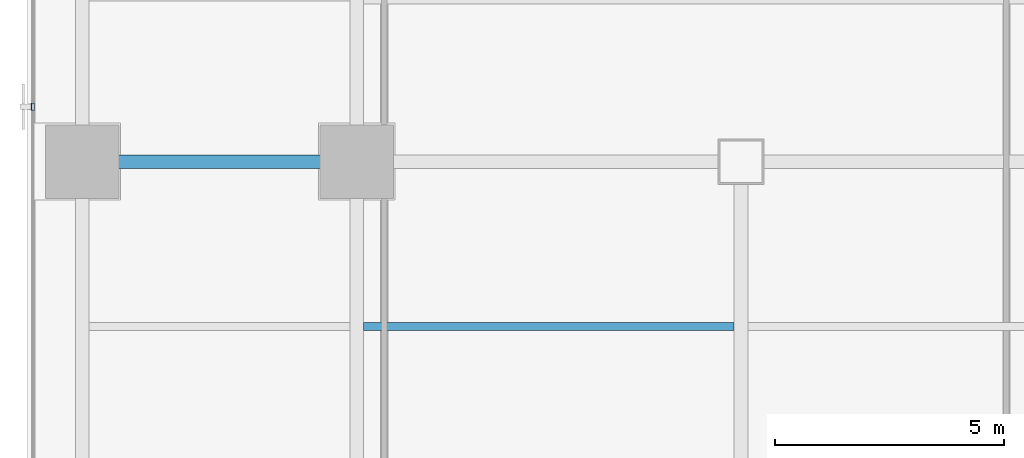
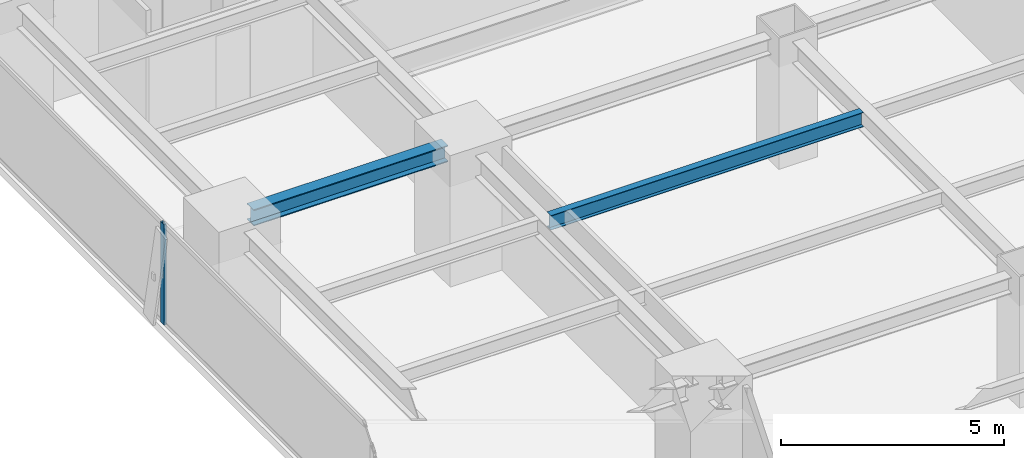
# One storey, part 7 of 27: 2 beams, 1 member, 1 element without a shape of its own.
"""IFC4 building model written with IfcOpenShell, lengths in metres."""

from ifc_helpers import new_model, si_unit, direction, frame, origin, origin_2d, place, context, subcontext, project, spatial, hollow_rectangle, i_section, extrude, source, transform, mapped, material, layer, layer_set, material_profile, profile_set, type_object, element, aggregate, save


model = new_model("IFC4")

# Units and contexts
model_context = context("Model", 3, precision=1e-05, world=origin(), true_north=direction((0.0, 1.0)))
body_context = subcontext(model_context, "Body", "Model", "MODEL_VIEW")
ifc_project = project(units=[si_unit("LENGTHUNIT", "METRE"), si_unit("AREAUNIT", "SQUARE_METRE"), si_unit("VOLUMEUNIT", "CUBIC_METRE"), si_unit("PLANEANGLEUNIT", "RADIAN"), si_unit("MASSUNIT", "GRAM", prefix="KILO")], contexts=[model_context])

# Site, building, storey
site_placement = place(None, origin())
site = spatial("IfcSite", under=ifc_project, at=site_placement, CompositionType="ELEMENT")
building_placement = place(site_placement, origin())
building = spatial("IfcBuilding", under=site, at=building_placement, Name="Sumidabori Civic Tower", CompositionType="ELEMENT")
storey_placement = place(building_placement, frame((0.0, 0.0, 142.39990234375)))
storey = spatial("IfcBuildingStorey", under=building, at=storey_placement, Name="L36", CompositionType="ELEMENT", Elevation=142.39990234375)

# Beams
ifc_material_1 = material(Name="Steel SN490", Category="steel")
ifc_material_profile_1 = material_profile(ifc_material_1, i_section(OverallWidth=0.179931640625, OverallDepth=0.39990234375, WebThickness=0.008544921875, FlangeThickness=0.013427734375, at=origin_2d()), Name="IPE 400")
ifc_profile_set_1 = profile_set([ifc_material_profile_1], Name="Steel SN490")
beam_type_1 = type_object("IfcBeamType", Name="BM-JST-400", PredefinedType="JOIST", material=ifc_profile_set_1)
shared_shape_1 = source(origin(), body_context, "Body", "SweptSolid", [
    extrude(i_section(OverallWidth=0.179931640625, OverallDepth=0.39990234375, WebThickness=0.008544921875, FlangeThickness=0.013427734375, at=origin_2d()), origin(), (0.0, 0.0, 1.0), 8.099853515625),
])
beam_1_placement = place(storey_placement, frame((-16.64990234375, -3.60009765625, 3.18017578125), z_axis=(1.0, 0.0, 0.0), x_axis=(0.0, 1.0, 0.0)))
element("IfcBeam", 1, at=beam_1_placement, inside=storey, type_object=beam_type_1, Name="South Bay Floor Joist L36 JSTS-57", PredefinedType="JOIST", context=body_context, shape_type="MappedRepresentation", body=[
    mapped(shared_shape_1, transform((0.0, 0.0, 0.0), x_axis=(1.0, 0.0, 0.0), y_axis=(0.0, 1.0, 0.0), z_axis=(0.0, 0.0, 1.0), scale=1.0)),
])
ifc_material_profile_2 = material_profile(ifc_material_1, i_section(OverallWidth=0.300048828125, OverallDepth=0.449951171875, WebThickness=0.013916015625, FlangeThickness=0.02587890625, at=origin_2d()), Name="HE 450 B")
ifc_profile_set_2 = profile_set([ifc_material_profile_2], Name="Steel SN490")
beam_type_2 = type_object("IfcBeamType", Name="BM-GIRD-450", PredefinedType="BEAM", material=ifc_profile_set_2)
shared_shape_2 = source(origin(), body_context, "Body", "SweptSolid", [
    extrude(i_section(OverallWidth=0.300048828125, OverallDepth=0.449951171875, WebThickness=0.013916015625, FlangeThickness=0.02587890625, at=origin_2d()), origin(), (0.0, 0.0, 1.0), 5.0400390625),
])
beam_2_placement = place(storey_placement, frame((-22.320068359375, 0.0, 3.155029296875), z_axis=(1.0, 0.0, 0.0), x_axis=(0.0, 1.0, 0.0)))
element("IfcBeam", 2, at=beam_2_placement, inside=storey, type_object=beam_type_2, Name="Primary Girder L36 GX-11", PredefinedType="BEAM", context=body_context, shape_type="MappedRepresentation", body=[
    mapped(shared_shape_2, transform((0.0, 0.0, 0.0), x_axis=(1.0, 0.0, 0.0), y_axis=(0.0, 1.0, 0.0), z_axis=(0.0, 0.0, 1.0), scale=1.0)),
])

# Curtain wall, member
ifc_material_2 = material(Name="Anodised Bronze Aluminium AW-6063-T6", Category="aluminium")
ifc_layer = layer(ifc_material_2, 0.179931640625, Name="Anodised Bronze Aluminium AW-6063-T6")
ifc_layer_set = layer_set([ifc_layer], Name="Anodised Bronze Aluminium AW-6063-T6")
curtain_wall_type = type_object("IfcCurtainWallType", Name="CW-SYS-3", PredefinedType="NOTDEFINED", material=ifc_layer_set)
curtain_wall_placement = place(storey_placement, origin())
curtain_wall = element("IfcCurtainWall", 3, at=curtain_wall_placement, inside=storey, type_object=curtain_wall_type, Name="Curtain Wall CW:L36:R10", PredefinedType="NOTDEFINED")
ifc_material_profile_3 = material_profile(ifc_material_2, hollow_rectangle(XDim=0.06494140625, YDim=0.159912109375, WallThickness=0.0048828125, at=origin_2d()), Name="ALU MULLION 160x65")
ifc_profile_set_3 = profile_set([ifc_material_profile_3], Name="Anodised Bronze Aluminium AW-6063-T6")
member_type = type_object("IfcMemberType", Name="CW-MUL-160", PredefinedType="MULLION", material=ifc_profile_set_3)
shared_shape_3 = source(origin(), body_context, "Body", "SweptSolid", [
    extrude(hollow_rectangle(XDim=0.06494140625, YDim=0.159912109375, WallThickness=0.0048828125, at=origin_2d()), origin(), (0.0, 0.0, 1.0), 2.760009765625),
])
member_placement = place(storey_placement, frame((-23.8798828125, 1.199951171875, 0.0), z_axis=(0.0, 0.0, 1.0), x_axis=(1.0, 0.0, 0.0)))
member = element("IfcMember", 4, at=member_placement, type_object=member_type, Name="CW-3 mullion 3", PredefinedType="MULLION", context=body_context, shape_type="MappedRepresentation", body=[
    mapped(shared_shape_3, transform((0.0, 0.0, 0.0), x_axis=(1.0, 0.0, 0.0), y_axis=(0.0, 1.0, 0.0), z_axis=(0.0, 0.0, 1.0), scale=1.0)),
])
aggregate(curtain_wall, [member])

save(model, "model.ifc")
